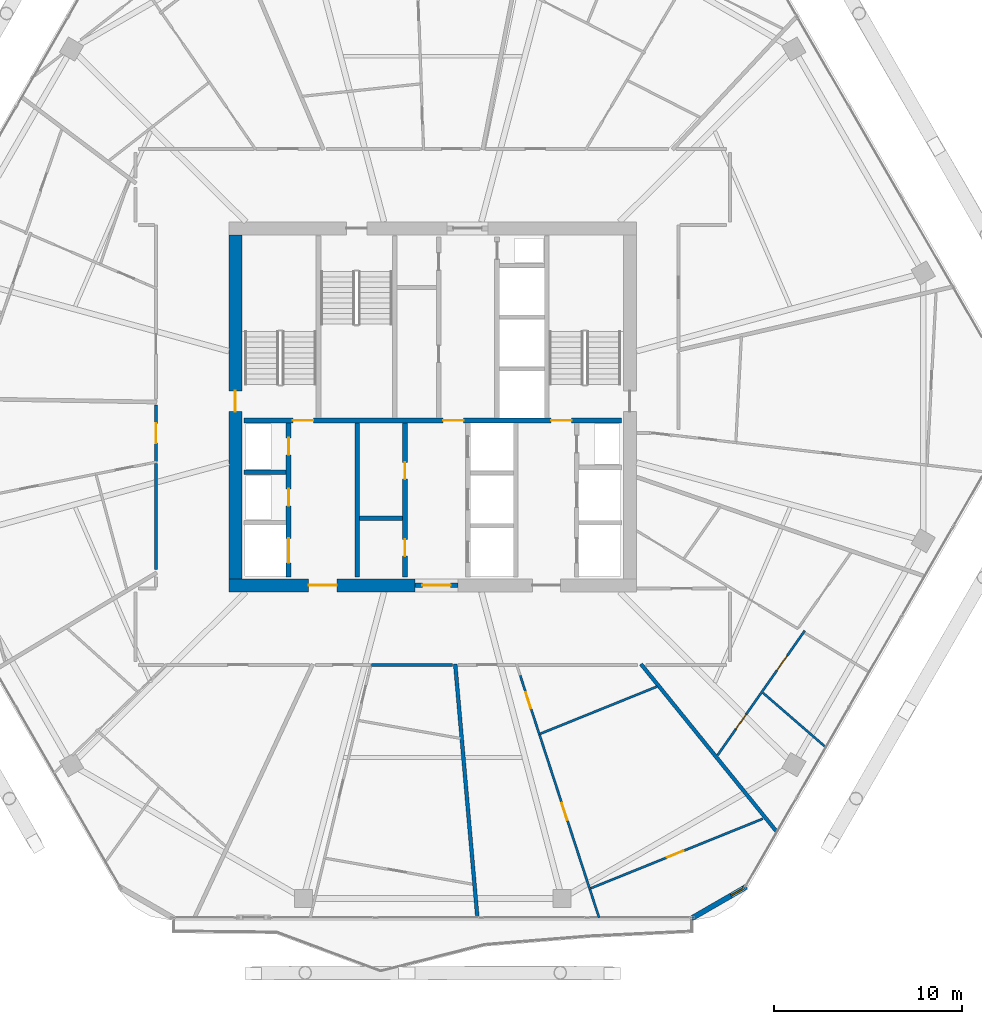
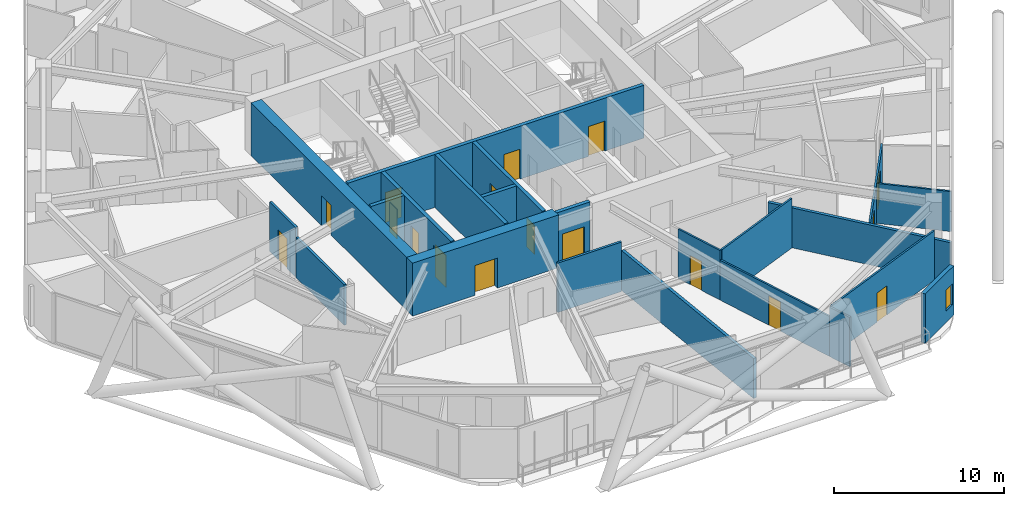
# One storey, part 22 of 28: 22 walls, 17 doors, 1 window, 18 openings.
"""IFC4 building model written with IfcOpenShell, lengths in metres."""

from ifc_helpers import new_model, si_unit, direction, frame, frame_2d, origin, place, context, subcontext, project, spatial, rectangle, extrude, material, layer, layer_set, type_object, element, fill, save


model = new_model("IFC4")

# Units and contexts
model_context = context("Model", 3, precision=1e-05, world=origin(), true_north=direction((0.0, 1.0)))
body_context = subcontext(model_context, "Body", "Model", "MODEL_VIEW")
ifc_project = project(units=[si_unit("LENGTHUNIT", "METRE"), si_unit("AREAUNIT", "SQUARE_METRE"), si_unit("VOLUMEUNIT", "CUBIC_METRE"), si_unit("PLANEANGLEUNIT", "RADIAN"), si_unit("MASSUNIT", "GRAM", prefix="KILO")], contexts=[model_context])

# Site, building, storey
site_placement = place(None, origin())
site = spatial("IfcSite", under=ifc_project, at=site_placement, CompositionType="ELEMENT")
building_placement = place(site_placement, origin())
building = spatial("IfcBuilding", under=site, at=building_placement, Name="Zuhravey Tower", CompositionType="ELEMENT")
storey_placement = place(building_placement, frame((0.0, 0.0, 207.39990234375)))
storey = spatial("IfcBuildingStorey", under=building, at=storey_placement, Name="L52", CompositionType="ELEMENT", Elevation=207.39990234375)

# Wall, opening, door
ifc_material_1 = material(Name="Concrete C60/75", Category="concrete")
ifc_layer_1 = layer(ifc_material_1, 0.699951171875)
ifc_layer_set_1 = layer_set([ifc_layer_1], Name="Concrete C60/75")
wall_type_1 = type_object("IfcWallType", Name="Core Shear Wall 700", PredefinedType="SHEAR", material=ifc_layer_set_1)
wall_1_placement = place(storey_placement, frame((25.14990234375, 22.5, 0.0), z_axis=(0.0, 0.0, 1.0), x_axis=(1.0, 0.0, 0.0)))
wall_1 = element("IfcWall", 1, at=wall_1_placement, inside=storey, type_object=wall_type_1, Name="L52 South-West Core Shear Wall CW70", PredefinedType="SHEAR", context=body_context, shape_type="SweptSolid", body=[
    extrude(rectangle(XDim=9.900146484375, YDim=0.699951171875, at=frame_2d((4.9501953125, 0.0))), origin(), (0.0, 0.0, 1.0), 3.800048828125),
])
opening_1_placement = place(wall_1_placement, frame((4.25, 0.0, 0.0)))
opening_1 = element("IfcOpeningElement", 2, at=opening_1_placement, cuts=wall_1, Name="Opening FFD1", PredefinedType="OPENING", context=body_context, shape_type="SweptSolid", body=[
    extrude(rectangle(XDim=1.5, YDim=2.14990234375, at=frame_2d((0.75, 1.074951171875))), frame((0.0, 0.362060546875, 0.0), z_axis=(0.0, -1.0, 0.0), x_axis=(1.0, 0.0, 0.0)), (0.0, 0.0, 1.0), 0.723876953125),
])
ifc_material_2 = material(Name="Galvanised fire-rated steel leaf", Category="steel")
door_type_1 = type_object("IfcDoorType", Name="Firefighting Lobby Double Door 1500x2150", OperationType="DOUBLE_DOOR_SINGLE_SWING", PredefinedType="DOOR", material=ifc_material_2)
door_1_placement = place(opening_1_placement, origin())
door_1 = element("IfcDoor", 3, at=door_1_placement, inside=storey, type_object=door_type_1, Name="L52 Firefighting Lobby West Door", OperationType="DOUBLE_DOOR_SINGLE_SWING", OverallHeight=2.14990234375, OverallWidth=1.5, PredefinedType="DOOR", context=body_context, shape_type="SweptSolid", body=[
    extrude(rectangle(XDim=1.5, YDim=2.14990234375, at=frame_2d((0.75, 1.074951171875))), frame((0.0, 0.02490234375, 0.0), z_axis=(0.0, -1.0, 0.0), x_axis=(1.0, 0.0, 0.0)), (0.0, 0.0, 1.0), 0.050048828125),
])
fill(opening_1, door_1)

wall_2_placement = place(storey_placement, frame((25.5, 22.85009765625, 0.0), z_axis=(0.0, 0.0, 1.0), x_axis=(0.0, 1.0, 0.0)))
wall_2 = element("IfcWall", 4, at=wall_2_placement, inside=storey, type_object=wall_type_1, Name="L52 West Core Shear Wall CW70", PredefinedType="SHEAR", context=body_context, shape_type="SweptSolid", body=[
    extrude(rectangle(XDim=18.2998046875, YDim=0.699951171875, at=frame_2d((9.14990234375, 0.0))), origin(), (0.0, 0.0, 1.0), 3.800048828125),
])
opening_2_placement = place(wall_2_placement, frame((8.89990234375, 0.0, 0.0)))
opening_2 = element("IfcOpeningElement", 5, at=opening_2_placement, cuts=wall_2, Name="Opening STD1", PredefinedType="OPENING", context=body_context, shape_type="SweptSolid", body=[
    extrude(rectangle(XDim=1.10009765625, YDim=2.14990234375, at=frame_2d((0.550048828125, 1.074951171875))), frame((0.0, 0.362060546875, 0.0), z_axis=(0.0, -1.0, 0.0), x_axis=(1.0, 0.0, 0.0)), (0.0, 0.0, 1.0), 0.723876953125),
])
door_type_2 = type_object("IfcDoorType", Name="Protected Stair Fire Door 1100x2150", OperationType="NOTDEFINED", PredefinedType="USERDEFINED", material=ifc_material_2)
door_2_placement = place(opening_2_placement, frame((1.10009765625, 0.0, 0.0), z_axis=(0.0, 0.0, 1.0), x_axis=(-1.0, 0.0, 0.0)))
door_2 = element("IfcDoor", 6, at=door_2_placement, inside=storey, type_object=door_type_2, Name="L52 Stair ST1 Door", ObjectType="EXITDOOR", OperationType="SINGLE_SWING_LEFT", OverallHeight=2.14990234375, OverallWidth=1.10009765625, PredefinedType="USERDEFINED", context=body_context, shape_type="SweptSolid", body=[
    extrude(rectangle(XDim=1.10009765625, YDim=2.14990234375, at=frame_2d((0.550048828125, 1.074951171875))), frame((0.0, 0.02490234375, 0.0), z_axis=(0.0, -1.0, 0.0), x_axis=(1.0, 0.0, 0.0)), (0.0, 0.0, 1.0), 0.050048828125),
])
fill(opening_2, door_2)

ifc_material_3 = material(Name="Gypsum fire-rated stud partition")
ifc_layer_2 = layer(ifc_material_3, 0.159912109375)
ifc_layer_set_2 = layer_set([ifc_layer_2], Name="Gypsum fire-rated stud partition")
wall_type_2 = type_object("IfcWallType", Name="Corridor Fire Partition 160", PredefinedType="PARTITIONING", material=ifc_layer_set_2)
wall_3_placement = place(storey_placement, frame((21.27001953125, 32.1083984375, 0.0), z_axis=(0.0, 0.0, 1.0), x_axis=(0.0, -1.0, 0.0)))
wall_3 = element("IfcWall", 7, at=wall_3_placement, inside=storey, type_object=wall_type_2, Name="L52 IW16 Partition 046", PredefinedType="PARTITIONING", context=body_context, shape_type="SweptSolid", body=[
    extrude(rectangle(XDim=3.02587890625, YDim=0.159912109375, at=frame_2d((1.512939453125, 0.0))), origin(), (0.0, 0.0, 1.0), 3.550048828125),
])
opening_3_placement = place(wall_3_placement, frame((0.988037109375, 0.0, 0.0)))
opening_3 = element("IfcOpeningElement", 8, at=opening_3_placement, cuts=wall_3, Name="Opening APD1", PredefinedType="OPENING", context=body_context, shape_type="SweptSolid", body=[
    extrude(rectangle(XDim=1.050048828125, YDim=2.14990234375, at=frame_2d((0.52490234375, 1.074951171875))), frame((0.0, 0.092041015625, 0.0), z_axis=(0.0, -1.0, 0.0), x_axis=(1.0, 0.0, 0.0)), (0.0, 0.0, 1.0), 0.183837890625),
])
ifc_material_4 = material(Name="Solid-core oak fire-rated leaf")
door_type_3 = type_object("IfcDoorType", Name="Apartment Entrance Fire Door 1050x2150", OperationType="NOTDEFINED", PredefinedType="DOOR", material=ifc_material_4)
door_3_placement = place(opening_3_placement, frame((1.050048828125, 0.0, 0.0), z_axis=(0.0, 0.0, 1.0), x_axis=(-1.0, 0.0, 0.0)))
door_3 = element("IfcDoor", 9, at=door_3_placement, inside=storey, type_object=door_type_3, Name="L52 Door 046.1", OperationType="SINGLE_SWING_RIGHT", OverallHeight=2.14990234375, OverallWidth=1.050048828125, PredefinedType="DOOR", context=body_context, shape_type="SweptSolid", body=[
    extrude(rectangle(XDim=1.050048828125, YDim=2.14990234375, at=frame_2d((0.52490234375, 1.074951171875))), frame((0.0, 0.02490234375, 0.0), z_axis=(0.0, -1.0, 0.0), x_axis=(1.0, 0.0, 0.0)), (0.0, 0.0, 1.0), 0.050048828125),
])
fill(opening_3, door_3)

# Walls
wall_4_placement = place(storey_placement, frame((21.27001953125, 28.99267578125, 0.0), z_axis=(0.0, 0.0, 1.0), x_axis=(0.0, -1.0, 0.0)))
element("IfcWall", 10, at=wall_4_placement, inside=storey, type_object=wall_type_2, Name="L52 IW16 Partition 129", PredefinedType="PARTITIONING", context=body_context, shape_type="SweptSolid", body=[
    extrude(rectangle(XDim=5.64599609375, YDim=0.159912109375, at=frame_2d((2.822998046875, 0.0))), origin(), (0.0, 0.0, 1.0), 2.900146484375),
])
wall_5_placement = place(storey_placement, frame((32.7294921875, 18.27001953125, 0.0), z_axis=(0.0, 0.0, 1.0), x_axis=(1.0, 0.0, 0.0)))
element("IfcWall", 11, at=wall_5_placement, inside=storey, type_object=wall_type_2, Name="L52 IW16 Partition 134", PredefinedType="PARTITIONING", context=body_context, shape_type="SweptSolid", body=[
    extrude(rectangle(XDim=4.3310546875, YDim=0.159912109375, at=frame_2d((2.16552734375, 0.0))), origin(), (0.0, 0.0, 1.0), 3.550048828125),
])

# Wall, opening, window
ifc_material_5 = material(Name="Precast concrete C40/50", Category="concrete")
ifc_layer_3 = layer(ifc_material_5, 0.280029296875)
ifc_layer_set_3 = layer_set([ifc_layer_3], Name="Precast concrete C40/50")
wall_type_3 = type_object("IfcWallType", Name="Crown Architectural Wall 280", PredefinedType="SOLIDWALL", material=ifc_layer_set_3)
wall_6_placement = place(storey_placement, frame((52.693115234375, 6.451904296875, 0.0), z_axis=(0.0, 0.0, 1.0), x_axis=(-0.866020068361, -0.500009241111, 0.0)))
wall_6 = element("IfcWall", 12, at=wall_6_placement, inside=storey, type_object=wall_type_3, Name="L52 Rounded Corner Closure Wall EW28-02", PredefinedType="SOLIDWALL", context=body_context, shape_type="SweptSolid", body=[
    extrude(rectangle(XDim=3.365234375, YDim=0.280029296875, at=frame_2d((1.6826171875, 0.0))), origin(), (0.0, 0.0, 1.0), 3.550048828125),
])
opening_4_placement = place(wall_6_placement, frame((0.17919921875, 0.0, 0.85009765625)))
opening_4 = element("IfcOpeningElement", 13, at=opening_4_placement, cuts=wall_6, Name="Opening WN5", PredefinedType="OPENING", context=body_context, shape_type="SweptSolid", body=[
    extrude(rectangle(XDim=0.75, YDim=1.5, at=frame_2d((0.375, 0.75))), frame((0.0, 0.152099609375, 0.0), z_axis=(0.0, -1.0, 0.0), x_axis=(1.0, 0.0, 0.0)), (0.0, 0.0, 1.0), 0.303955078125),
])
ifc_material_6 = material(Name="Thermally broken aluminium and triple low-E glass", Category="aluminium")
window_type = type_object("IfcWindowType", Name="Residential Corner Casement Window 750x1500", PartitioningType="SINGLE_PANEL", PredefinedType="WINDOW", material=ifc_material_6)
window_placement = place(opening_4_placement, origin())
window = element("IfcWindow", 14, at=window_placement, inside=storey, type_object=window_type, Name="L52 Corner Casement Window WN5-02.1", OverallHeight=1.5, OverallWidth=0.75, PartitioningType="SINGLE_PANEL", PredefinedType="WINDOW", context=body_context, shape_type="SweptSolid", body=[
    extrude(rectangle(XDim=0.75, YDim=1.5, at=frame_2d((0.375, 0.75))), frame((0.0, 0.030029296875, 0.0), z_axis=(0.0, -1.0, 0.0), x_axis=(1.0, 0.0, 0.0)), (0.0, 0.0, 1.0), 0.06005859375),
])
fill(opening_4, window)

# Wall, opening, door
ifc_material_7 = material(Name="Concrete C50/60", Category="concrete")
ifc_layer_4 = layer(ifc_material_7, 0.25)
ifc_layer_set_4 = layer_set([ifc_layer_4], Name="Concrete C50/60")
wall_type_4 = type_object("IfcWallType", Name="Firefighting Shaft & Stair Wall 250", PredefinedType="SOLIDWALL", material=ifc_layer_set_4)
wall_7_placement = place(storey_placement, frame((35.06005859375, 22.5, 0.0), z_axis=(0.0, 0.0, 1.0), x_axis=(1.0, 0.0, 0.0)))
wall_7 = element("IfcWall", 15, at=wall_7_placement, inside=storey, type_object=wall_type_4, Name="L52 FW25 Shaft Wall 001", PredefinedType="SOLIDWALL", context=body_context, shape_type="SweptSolid", body=[
    extrude(rectangle(XDim=2.280029296875, YDim=0.25, at=frame_2d((1.14013671875, 0.0))), origin(), (0.0, 0.0, 1.0), 3.800048828125),
])
opening_5_placement = place(wall_7_placement, frame((0.389892578125, 0.0, 0.0)))
opening_5 = element("IfcOpeningElement", 16, at=opening_5_placement, cuts=wall_7, Name="Opening FFD1", PredefinedType="OPENING", context=body_context, shape_type="SweptSolid", body=[
    extrude(rectangle(XDim=1.5, YDim=2.14990234375, at=frame_2d((0.75, 1.074951171875))), frame((0.0, 0.136962890625, 0.0), z_axis=(0.0, -1.0, 0.0), x_axis=(1.0, 0.0, 0.0)), (0.0, 0.0, 1.0), 0.27392578125),
])
door_4_placement = place(opening_5_placement, frame((1.5, 0.0, 0.0), z_axis=(0.0, 0.0, 1.0), x_axis=(-1.0, 0.0, 0.0)))
door_4 = element("IfcDoor", 17, at=door_4_placement, inside=storey, type_object=door_type_1, Name="L52 South Lift Lobby Exit Door", OperationType="DOUBLE_DOOR_SINGLE_SWING", OverallHeight=2.14990234375, OverallWidth=1.5, PredefinedType="DOOR", context=body_context, shape_type="SweptSolid", body=[
    extrude(rectangle(XDim=1.5, YDim=2.14990234375, at=frame_2d((0.75, 1.074951171875))), frame((0.0, 0.02490234375, 0.0), z_axis=(0.0, -1.0, 0.0), x_axis=(1.0, 0.0, 0.0)), (0.0, 0.0, 1.0), 0.050048828125),
])
fill(opening_5, door_4)

# Wall, openings, doors
wall_8_placement = place(storey_placement, frame((25.949951171875, 31.27490234375, 0.0), z_axis=(0.0, 0.0, 1.0), x_axis=(1.0, 0.0, 0.0)))
wall_8 = element("IfcWall", 18, at=wall_8_placement, inside=storey, type_object=wall_type_4, Name="L52 FW25 Shaft Wall 003", PredefinedType="SOLIDWALL", context=body_context, shape_type="SweptSolid", body=[
    extrude(rectangle(XDim=20.10009765625, YDim=0.25, at=frame_2d((10.050048828125, 0.0))), origin(), (0.0, 0.0, 1.0), 3.800048828125),
])
opening_6_placement = place(wall_8_placement, frame((2.60009765625, 0.0, 0.0)))
opening_6 = element("IfcOpeningElement", 19, at=opening_6_placement, cuts=wall_8, Name="Opening STD1", PredefinedType="OPENING", context=body_context, shape_type="SweptSolid", body=[
    extrude(rectangle(XDim=1.10009765625, YDim=2.14990234375, at=frame_2d((0.550048828125, 1.074951171875))), frame((0.0, 0.136962890625, 0.0), z_axis=(0.0, -1.0, 0.0), x_axis=(1.0, 0.0, 0.0)), (0.0, 0.0, 1.0), 0.27392578125),
])
opening_7_placement = place(wall_8_placement, frame((10.60009765625, 0.0, 0.0)))
opening_7 = element("IfcOpeningElement", 20, at=opening_7_placement, cuts=wall_8, Name="Opening STD1", PredefinedType="OPENING", context=body_context, shape_type="SweptSolid", body=[
    extrude(rectangle(XDim=1.10009765625, YDim=2.14990234375, at=frame_2d((0.550048828125, 1.074951171875))), frame((0.0, 0.136962890625, 0.0), z_axis=(0.0, -1.0, 0.0), x_axis=(1.0, 0.0, 0.0)), (0.0, 0.0, 1.0), 0.27392578125),
])
opening_8_placement = place(wall_8_placement, frame((16.35009765625, 0.0, 0.0)))
opening_8 = element("IfcOpeningElement", 21, at=opening_8_placement, cuts=wall_8, Name="Opening STD1", PredefinedType="OPENING", context=body_context, shape_type="SweptSolid", body=[
    extrude(rectangle(XDim=1.10009765625, YDim=2.14990234375, at=frame_2d((0.550048828125, 1.074951171875))), frame((0.0, 0.136962890625, 0.0), z_axis=(0.0, -1.0, 0.0), x_axis=(1.0, 0.0, 0.0)), (0.0, 0.0, 1.0), 0.27392578125),
])
door_5_placement = place(opening_6_placement, origin())
door_5 = element("IfcDoor", 22, at=door_5_placement, inside=storey, type_object=door_type_2, Name="L52 FFL-W to ST1 Door", ObjectType="EXITDOOR", OperationType="SINGLE_SWING_RIGHT", OverallHeight=2.14990234375, OverallWidth=1.10009765625, PredefinedType="USERDEFINED", context=body_context, shape_type="SweptSolid", body=[
    extrude(rectangle(XDim=1.10009765625, YDim=2.14990234375, at=frame_2d((0.550048828125, 1.074951171875))), frame((0.0, 0.02490234375, 0.0), z_axis=(0.0, -1.0, 0.0), x_axis=(1.0, 0.0, 0.0)), (0.0, 0.0, 1.0), 0.050048828125),
])
fill(opening_6, door_5)
door_6_placement = place(opening_7_placement, origin())
door_6 = element("IfcDoor", 23, at=door_6_placement, inside=storey, type_object=door_type_2, Name="L52 Core Lobby Link Door", ObjectType="EXITDOOR", OperationType="SINGLE_SWING_LEFT", OverallHeight=2.14990234375, OverallWidth=1.10009765625, PredefinedType="USERDEFINED", context=body_context, shape_type="SweptSolid", body=[
    extrude(rectangle(XDim=1.10009765625, YDim=2.14990234375, at=frame_2d((0.550048828125, 1.074951171875))), frame((0.0, 0.02490234375, 0.0), z_axis=(0.0, -1.0, 0.0), x_axis=(1.0, 0.0, 0.0)), (0.0, 0.0, 1.0), 0.050048828125),
])
fill(opening_7, door_6)
door_7_placement = place(opening_8_placement, origin())
door_7 = element("IfcDoor", 24, at=door_7_placement, inside=storey, type_object=door_type_2, Name="L52 FFL-E to ST2 Door", ObjectType="EXITDOOR", OperationType="SINGLE_SWING_RIGHT", OverallHeight=2.14990234375, OverallWidth=1.10009765625, PredefinedType="USERDEFINED", context=body_context, shape_type="SweptSolid", body=[
    extrude(rectangle(XDim=1.10009765625, YDim=2.14990234375, at=frame_2d((0.550048828125, 1.074951171875))), frame((0.0, 0.02490234375, 0.0), z_axis=(0.0, -1.0, 0.0), x_axis=(1.0, 0.0, 0.0)), (0.0, 0.0, 1.0), 0.050048828125),
])
fill(opening_8, door_7)

# Wall
wall_9_placement = place(storey_placement, frame((25.949951171875, 28.52490234375, 0.0), z_axis=(0.0, 0.0, 1.0), x_axis=(1.0, 0.0, 0.0)))
element("IfcWall", 25, at=wall_9_placement, inside=storey, type_object=wall_type_4, Name="L52 FW25 Shaft Wall 010", PredefinedType="SOLIDWALL", context=body_context, shape_type="SweptSolid", body=[
    extrude(rectangle(XDim=2.25, YDim=0.25, at=frame_2d((1.125, 0.0))), origin(), (0.0, 0.0, 1.0), 3.800048828125),
])

# Wall, openings, doors
wall_10_placement = place(storey_placement, frame((28.324951171875, 22.949951171875, 0.0), z_axis=(0.0, 0.0, 1.0), x_axis=(0.0, 1.0, 0.0)))
wall_10 = element("IfcWall", 26, at=wall_10_placement, inside=storey, type_object=wall_type_4, Name="L52 FW25 Shaft Wall 011", PredefinedType="SOLIDWALL", context=body_context, shape_type="SweptSolid", body=[
    extrude(rectangle(XDim=8.199951171875, YDim=0.25, at=frame_2d((4.10009765625, 0.0))), origin(), (0.0, 0.0, 1.0), 3.800048828125),
])
opening_9_placement = place(wall_10_placement, frame((0.75, 0.0, 0.0)))
opening_9 = element("IfcOpeningElement", 27, at=opening_9_placement, cuts=wall_10, Name="Opening LD2", PredefinedType="OPENING", context=body_context, shape_type="SweptSolid", body=[
    extrude(rectangle(XDim=1.300048828125, YDim=2.300048828125, at=frame_2d((0.64990234375, 1.14990234375))), frame((0.0, 0.136962890625, 0.0), z_axis=(0.0, -1.0, 0.0), x_axis=(1.0, 0.0, 0.0)), (0.0, 0.0, 1.0), 0.27392578125),
])
opening_10_placement = place(wall_10_placement, frame((3.780029296875, 0.0, 0.0)))
opening_10 = element("IfcOpeningElement", 28, at=opening_10_placement, cuts=wall_10, Name="Opening RSD1", PredefinedType="OPENING", context=body_context, shape_type="SweptSolid", body=[
    extrude(rectangle(XDim=0.89990234375, YDim=2.10009765625, at=frame_2d((0.449951171875, 1.050048828125))), frame((0.0, 0.136962890625, 0.0), z_axis=(0.0, -1.0, 0.0), x_axis=(1.0, 0.0, 0.0)), (0.0, 0.0, 1.0), 0.27392578125),
])
opening_11_placement = place(wall_10_placement, frame((6.5, 0.0, 0.0)))
opening_11 = element("IfcOpeningElement", 29, at=opening_11_placement, cuts=wall_10, Name="Opening RSD1", PredefinedType="OPENING", context=body_context, shape_type="SweptSolid", body=[
    extrude(rectangle(XDim=0.89990234375, YDim=2.10009765625, at=frame_2d((0.449951171875, 1.050048828125))), frame((0.0, 0.136962890625, 0.0), z_axis=(0.0, -1.0, 0.0), x_axis=(1.0, 0.0, 0.0)), (0.0, 0.0, 1.0), 0.27392578125),
])
ifc_material_8 = material(Name="Brushed stainless steel", Category="steel")
door_type_4 = type_object("IfcDoorType", Name="Freight & Stretcher Lift Sliding Door 1300x2300", OperationType="DOUBLE_DOOR_SLIDING", PredefinedType="DOOR", material=ifc_material_8)
door_8_placement = place(opening_9_placement, frame((1.300048828125, 0.0, 0.0), z_axis=(0.0, 0.0, 1.0), x_axis=(-1.0, 0.0, 0.0)))
door_8 = element("IfcDoor", 30, at=door_8_placement, inside=storey, type_object=door_type_4, Name="L52 Lift FF1 Landing Door", OperationType="DOUBLE_DOOR_SLIDING", OverallHeight=2.300048828125, OverallWidth=1.300048828125, PredefinedType="DOOR", context=body_context, shape_type="SweptSolid", body=[
    extrude(rectangle(XDim=1.300048828125, YDim=2.300048828125, at=frame_2d((0.64990234375, 1.14990234375))), frame((0.0, 0.02490234375, 0.0), z_axis=(0.0, -1.0, 0.0), x_axis=(1.0, 0.0, 0.0)), (0.0, 0.0, 1.0), 0.050048828125),
])
fill(opening_9, door_8)
ifc_material_9 = material(Name="Galvanised fire-rated steel access leaf", Category="steel")
door_type_5 = type_object("IfcDoorType", Name="Riser & Shaft Access Fire Door 900x2100", OperationType="NOTDEFINED", PredefinedType="DOOR", material=ifc_material_9)
door_9_placement = place(opening_10_placement, frame((0.89990234375, 0.0, 0.0), z_axis=(0.0, 0.0, 1.0), x_axis=(-1.0, 0.0, 0.0)))
door_9 = element("IfcDoor", 31, at=door_9_placement, inside=storey, type_object=door_type_5, Name="L52 Electrical Riser Door", OperationType="SINGLE_SWING_RIGHT", OverallHeight=2.10009765625, OverallWidth=0.89990234375, PredefinedType="DOOR", context=body_context, shape_type="SweptSolid", body=[
    extrude(rectangle(XDim=0.89990234375, YDim=2.10009765625, at=frame_2d((0.449951171875, 1.050048828125))), frame((0.0, 0.02490234375, 0.0), z_axis=(0.0, -1.0, 0.0), x_axis=(1.0, 0.0, 0.0)), (0.0, 0.0, 1.0), 0.050048828125),
])
fill(opening_10, door_9)
door_10_placement = place(opening_11_placement, frame((0.89990234375, 0.0, 0.0), z_axis=(0.0, 0.0, 1.0), x_axis=(-1.0, 0.0, 0.0)))
door_10 = element("IfcDoor", 32, at=door_10_placement, inside=storey, type_object=door_type_5, Name="L52 Smoke Shaft Access Door", OperationType="SINGLE_SWING_LEFT", OverallHeight=2.10009765625, OverallWidth=0.89990234375, PredefinedType="DOOR", context=body_context, shape_type="SweptSolid", body=[
    extrude(rectangle(XDim=0.89990234375, YDim=2.10009765625, at=frame_2d((0.449951171875, 1.050048828125))), frame((0.0, 0.02490234375, 0.0), z_axis=(0.0, -1.0, 0.0), x_axis=(1.0, 0.0, 0.0)), (0.0, 0.0, 1.0), 0.050048828125),
])
fill(opening_11, door_10)

# Walls
wall_11_placement = place(storey_placement, frame((31.97509765625, 22.949951171875, 0.0), z_axis=(0.0, 0.0, 1.0), x_axis=(0.0, 1.0, 0.0)))
element("IfcWall", 33, at=wall_11_placement, inside=storey, type_object=wall_type_4, Name="L52 FW25 Shaft Wall 012", PredefinedType="SOLIDWALL", context=body_context, shape_type="SweptSolid", body=[
    extrude(rectangle(XDim=8.199951171875, YDim=0.25, at=frame_2d((4.10009765625, 0.0))), origin(), (0.0, 0.0, 1.0), 3.800048828125),
])
wall_12_placement = place(storey_placement, frame((32.10009765625, 26.074951171875, 0.0), z_axis=(0.0, 0.0, 1.0), x_axis=(1.0, 0.0, 0.0)))
element("IfcWall", 34, at=wall_12_placement, inside=storey, type_object=wall_type_4, Name="L52 FW25 Shaft Wall 013", PredefinedType="SOLIDWALL", context=body_context, shape_type="SweptSolid", body=[
    extrude(rectangle(XDim=2.2998046875, YDim=0.25, at=frame_2d((1.14990234375, 0.0))), origin(), (0.0, 0.0, 1.0), 3.800048828125),
])

# Wall, openings, doors
wall_13_placement = place(storey_placement, frame((34.52490234375, 22.949951171875, 0.0), z_axis=(0.0, 0.0, 1.0), x_axis=(0.0, 1.0, 0.0)))
wall_13 = element("IfcWall", 35, at=wall_13_placement, inside=storey, type_object=wall_type_4, Name="L52 FW25 Shaft Wall 014", PredefinedType="SOLIDWALL", context=body_context, shape_type="SweptSolid", body=[
    extrude(rectangle(XDim=8.199951171875, YDim=0.25, at=frame_2d((4.10009765625, 0.0))), origin(), (0.0, 0.0, 1.0), 3.800048828125),
])
opening_12_placement = place(wall_13_placement, frame((1.10009765625, 0.0, 0.0)))
opening_12 = element("IfcOpeningElement", 36, at=opening_12_placement, cuts=wall_13, Name="Opening RSD1", PredefinedType="OPENING", context=body_context, shape_type="SweptSolid", body=[
    extrude(rectangle(XDim=0.89990234375, YDim=2.10009765625, at=frame_2d((0.449951171875, 1.050048828125))), frame((0.0, 0.136962890625, 0.0), z_axis=(0.0, -1.0, 0.0), x_axis=(1.0, 0.0, 0.0)), (0.0, 0.0, 1.0), 0.27392578125),
])
opening_13_placement = place(wall_13_placement, frame((5.199951171875, 0.0, 0.0)))
opening_13 = element("IfcOpeningElement", 37, at=opening_13_placement, cuts=wall_13, Name="Opening RSD1", PredefinedType="OPENING", context=body_context, shape_type="SweptSolid", body=[
    extrude(rectangle(XDim=0.89990234375, YDim=2.10009765625, at=frame_2d((0.449951171875, 1.050048828125))), frame((0.0, 0.136962890625, 0.0), z_axis=(0.0, -1.0, 0.0), x_axis=(1.0, 0.0, 0.0)), (0.0, 0.0, 1.0), 0.27392578125),
])
door_11_placement = place(opening_12_placement, origin())
door_11 = element("IfcDoor", 38, at=door_11_placement, inside=storey, type_object=door_type_5, Name="L52 Metering Room Door", OperationType="SINGLE_SWING_RIGHT", OverallHeight=2.10009765625, OverallWidth=0.89990234375, PredefinedType="DOOR", context=body_context, shape_type="SweptSolid", body=[
    extrude(rectangle(XDim=0.89990234375, YDim=2.10009765625, at=frame_2d((0.449951171875, 1.050048828125))), frame((0.0, 0.02490234375, 0.0), z_axis=(0.0, -1.0, 0.0), x_axis=(1.0, 0.0, 0.0)), (0.0, 0.0, 1.0), 0.050048828125),
])
fill(opening_12, door_11)
door_12_placement = place(opening_13_placement, origin())
door_12 = element("IfcDoor", 39, at=door_12_placement, inside=storey, type_object=door_type_5, Name="L52 Housekeeping Supply Door", OperationType="SINGLE_SWING_LEFT", OverallHeight=2.10009765625, OverallWidth=0.89990234375, PredefinedType="DOOR", context=body_context, shape_type="SweptSolid", body=[
    extrude(rectangle(XDim=0.89990234375, YDim=2.10009765625, at=frame_2d((0.449951171875, 1.050048828125))), frame((0.0, 0.02490234375, 0.0), z_axis=(0.0, -1.0, 0.0), x_axis=(1.0, 0.0, 0.0)), (0.0, 0.0, 1.0), 0.050048828125),
])
fill(opening_13, door_12)

# Walls
ifc_material_10 = material(Name="Gypsum double-stud party assembly")
ifc_layer_5 = layer(ifc_material_10, 0.199951171875)
ifc_layer_set_5 = layer_set([ifc_layer_5], Name="Gypsum double-stud party assembly")
wall_type_5 = type_object("IfcWallType", Name="Inter-Tenancy Party Wall 200", PredefinedType="PARTITIONING", material=ifc_layer_set_5)
wall_14_placement = place(storey_placement, frame((37.19775390625, 18.31005859375, 0.0), z_axis=(0.0, 0.0, 1.0), x_axis=(0.087149956805, -0.996195204279, 0.0)))
element("IfcWall", 40, at=wall_14_placement, inside=storey, type_object=wall_type_5, Name="L52 IW20 Partition 109", PredefinedType="PARTITIONING", context=body_context, shape_type="SweptSolid", body=[
    extrude(rectangle(XDim=13.544677734375, YDim=0.199951171875, at=frame_2d((6.7724609375, 0.0))), origin(), (0.0, 0.0, 1.0), 2.8701171875),
])
wall_15_placement = place(storey_placement, frame((47.0859375, 18.31005859375, 0.0), z_axis=(0.0, 0.0, 1.0), x_axis=(0.629320349521, -0.777145995086, 0.0)))
element("IfcWall", 41, at=wall_15_placement, inside=storey, type_object=wall_type_5, Name="L52 IW20 Partition 113", PredefinedType="PARTITIONING", context=body_context, shape_type="SweptSolid", body=[
    extrude(rectangle(XDim=11.50146484375, YDim=0.199951171875, at=frame_2d((5.750732421875, 0.0))), origin(), (0.0, 0.0, 1.0), 2.8701171875),
])

# Wall, opening, door
ifc_material_11 = material(Name="Gypsum metal-stud partition")
ifc_layer_6 = layer(ifc_material_11, 0.1201171875)
ifc_layer_set_6 = layer_set([ifc_layer_6], Name="Gypsum metal-stud partition")
wall_type_6 = type_object("IfcWallType", Name="Unit Internal Partition 120", PredefinedType="PARTITIONING", material=ifc_layer_set_6)
wall_16_placement = place(storey_placement, frame((40.657470703125, 17.699951171875, 0.0), z_axis=(0.0, 0.0, 1.0), x_axis=(0.309645010921, -0.950852232059, 0.0)))
wall_16 = element("IfcWall", 42, at=wall_16_placement, inside=storey, type_object=wall_type_6, Name="L52 IW12 Partition 056", PredefinedType="PARTITIONING", context=body_context, shape_type="SweptSolid", body=[
    extrude(rectangle(XDim=3.308349609375, YDim=0.1201171875, at=frame_2d((1.654296875, 0.0))), origin(), (0.0, 0.0, 1.0), 3.550048828125),
])
opening_14_placement = place(wall_16_placement, frame((0.939697265625, 0.0, 0.0)))
opening_14 = element("IfcOpeningElement", 43, at=opening_14_placement, cuts=wall_16, Name="Opening WCD1", PredefinedType="OPENING", context=body_context, shape_type="SweptSolid", body=[
    extrude(rectangle(XDim=0.89990234375, YDim=2.10009765625, at=frame_2d((0.449951171875, 1.050048828125))), frame((0.0, 0.072021484375, 0.0), z_axis=(0.0, -1.0, 0.0), x_axis=(1.0, 0.0, 0.0)), (0.0, 0.0, 1.0), 0.14404296875),
])
ifc_material_12 = material(Name="Moisture-resistant timber leaf", Category="wood")
door_type_6 = type_object("IfcDoorType", Name="Bathroom & WC Internal Door 900x2100", OperationType="NOTDEFINED", PredefinedType="DOOR", material=ifc_material_12)
door_13_placement = place(opening_14_placement, origin())
door_13 = element("IfcDoor", 44, at=door_13_placement, inside=storey, type_object=door_type_6, Name="Apartment L52-08 Bathroom Door", OperationType="SINGLE_SWING_RIGHT", OverallHeight=2.10009765625, OverallWidth=0.89990234375, PredefinedType="DOOR", context=body_context, shape_type="SweptSolid", body=[
    extrude(rectangle(XDim=0.89990234375, YDim=2.10009765625, at=frame_2d((0.449951171875, 1.050048828125))), frame((0.0, 0.02490234375, 0.0), z_axis=(0.0, -1.0, 0.0), x_axis=(1.0, 0.0, 0.0)), (0.0, 0.0, 1.0), 0.050048828125),
])
fill(opening_14, door_13)

wall_17_placement = place(storey_placement, frame((41.681884765625, 14.55419921875, 0.0), z_axis=(0.0, 0.0, 1.0), x_axis=(0.309677992157, -0.950841491087, 0.0)))
wall_17 = element("IfcWall", 45, at=wall_17_placement, inside=storey, type_object=wall_type_6, Name="L52 IW12 Partition 057", PredefinedType="PARTITIONING", context=body_context, shape_type="SweptSolid", body=[
    extrude(rectangle(XDim=8.65380859375, YDim=0.1201171875, at=frame_2d((4.326904296875, 0.0))), origin(), (0.0, 0.0, 1.0), 2.8701171875),
])
opening_15_placement = place(wall_17_placement, frame((3.826904296875, 0.0, 0.0)))
opening_15 = element("IfcOpeningElement", 46, at=opening_15_placement, cuts=wall_17, Name="Opening IND1", PredefinedType="OPENING", context=body_context, shape_type="SweptSolid", body=[
    extrude(rectangle(XDim=0.949951171875, YDim=2.10009765625, at=frame_2d((0.47509765625, 1.050048828125))), frame((0.0, 0.072021484375, 0.0), z_axis=(0.0, -1.0, 0.0), x_axis=(1.0, 0.0, 0.0)), (0.0, 0.0, 1.0), 0.14404296875),
])
ifc_material_13 = material(Name="Painted engineered timber leaf", Category="wood")
door_type_7 = type_object("IfcDoorType", Name="Internal Room & Bedroom Door 950x2100", OperationType="NOTDEFINED", PredefinedType="DOOR", material=ifc_material_13)
door_14_placement = place(opening_15_placement, origin())
door_14 = element("IfcDoor", 47, at=door_14_placement, inside=storey, type_object=door_type_7, Name="Apartment L52-08 Home Office Door", OperationType="SINGLE_SWING_LEFT", OverallHeight=2.10009765625, OverallWidth=0.949951171875, PredefinedType="DOOR", context=body_context, shape_type="SweptSolid", body=[
    extrude(rectangle(XDim=0.949951171875, YDim=2.10009765625, at=frame_2d((0.47509765625, 1.050048828125))), frame((0.0, 0.02490234375, 0.0), z_axis=(0.0, -1.0, 0.0), x_axis=(1.0, 0.0, 0.0)), (0.0, 0.0, 1.0), 0.050048828125),
])
fill(opening_15, door_14)

wall_18_placement = place(storey_placement, frame((44.41748046875, 6.375, 0.0), z_axis=(0.0, 0.0, 1.0), x_axis=(0.927190135349, 0.374591047559, 0.0)))
wall_18 = element("IfcWall", 48, at=wall_18_placement, inside=storey, type_object=wall_type_6, Name="L52 IW12 Partition 058", PredefinedType="PARTITIONING", context=body_context, shape_type="SweptSolid", body=[
    extrude(rectangle(XDim=9.870849609375, YDim=0.1201171875, at=frame_2d((4.935546875, 0.0))), origin(), (0.0, 0.0, 1.0), 3.550048828125),
])
opening_16_placement = place(wall_18_placement, frame((4.37646484375, 0.0, 0.0)))
opening_16 = element("IfcOpeningElement", 49, at=opening_16_placement, cuts=wall_18, Name="Opening IND1", PredefinedType="OPENING", context=body_context, shape_type="SweptSolid", body=[
    extrude(rectangle(XDim=0.949951171875, YDim=2.10009765625, at=frame_2d((0.47509765625, 1.050048828125))), frame((0.0, 0.072021484375, 0.0), z_axis=(0.0, -1.0, 0.0), x_axis=(1.0, 0.0, 0.0)), (0.0, 0.0, 1.0), 0.14404296875),
])
door_15_placement = place(opening_16_placement, frame((0.949951171875, 0.0, 0.0), z_axis=(0.0, 0.0, 1.0), x_axis=(-1.0, 0.0, 0.0)))
door_15 = element("IfcDoor", 50, at=door_15_placement, inside=storey, type_object=door_type_7, Name="Apartment L52-08 Bedroom 1 Door", OperationType="SINGLE_SWING_RIGHT", OverallHeight=2.10009765625, OverallWidth=0.949951171875, PredefinedType="DOOR", context=body_context, shape_type="SweptSolid", body=[
    extrude(rectangle(XDim=0.949951171875, YDim=2.10009765625, at=frame_2d((0.47509765625, 1.050048828125))), frame((0.0, 0.02490234375, 0.0), z_axis=(0.0, -1.0, 0.0), x_axis=(1.0, 0.0, 0.0)), (0.0, 0.0, 1.0), 0.050048828125),
])
fill(opening_16, door_15)

# Wall, openings, doors
wall_19_placement = place(storey_placement, frame((51.15966796875, 13.45263671875, 0.0), z_axis=(0.0, 0.0, 1.0), x_axis=(0.573591844673, 0.81914125505, 0.0)))
wall_19 = element("IfcWall", 51, at=wall_19_placement, inside=storey, type_object=wall_type_6, Name="L52 IW12 Partition 060", PredefinedType="PARTITIONING", context=body_context, shape_type="SweptSolid", body=[
    extrude(rectangle(XDim=8.09716796875, YDim=0.1201171875, at=frame_2d((4.048583984375, 0.0))), origin(), (0.0, 0.0, 1.0), 2.900146484375),
])
opening_17_placement = place(wall_19_placement, frame((1.70458984375, 0.0, 0.0)))
opening_17 = element("IfcOpeningElement", 52, at=opening_17_placement, cuts=wall_19, Name="Opening IND1", PredefinedType="OPENING", context=body_context, shape_type="SweptSolid", body=[
    extrude(rectangle(XDim=0.949951171875, YDim=2.10009765625, at=frame_2d((0.47509765625, 1.050048828125))), frame((0.0, 0.072021484375, 0.0), z_axis=(0.0, -1.0, 0.0), x_axis=(1.0, 0.0, 0.0)), (0.0, 0.0, 1.0), 0.14404296875),
])
opening_18_placement = place(wall_19_placement, frame((5.5126953125, 0.0, 0.0)))
opening_18 = element("IfcOpeningElement", 53, at=opening_18_placement, cuts=wall_19, Name="Opening IND1", PredefinedType="OPENING", context=body_context, shape_type="SweptSolid", body=[
    extrude(rectangle(XDim=0.949951171875, YDim=2.10009765625, at=frame_2d((0.47509765625, 1.050048828125))), frame((0.0, 0.072021484375, 0.0), z_axis=(0.0, -1.0, 0.0), x_axis=(1.0, 0.0, 0.0)), (0.0, 0.0, 1.0), 0.14404296875),
])
door_16_placement = place(opening_17_placement, frame((0.949951171875, 0.0, 0.0), z_axis=(0.0, 0.0, 1.0), x_axis=(-1.0, 0.0, 0.0)))
door_16 = element("IfcDoor", 54, at=door_16_placement, inside=storey, type_object=door_type_7, Name="Apartment L52-09 Family Study Door", OperationType="SINGLE_SWING_RIGHT", OverallHeight=2.10009765625, OverallWidth=0.949951171875, PredefinedType="DOOR", context=body_context, shape_type="SweptSolid", body=[
    extrude(rectangle(XDim=0.949951171875, YDim=2.10009765625, at=frame_2d((0.47509765625, 1.050048828125))), frame((0.0, 0.02490234375, 0.0), z_axis=(0.0, -1.0, 0.0), x_axis=(1.0, 0.0, 0.0)), (0.0, 0.0, 1.0), 0.050048828125),
])
fill(opening_17, door_16)
door_17_placement = place(opening_18_placement, frame((0.949951171875, 0.0, 0.0), z_axis=(0.0, 0.0, 1.0), x_axis=(-1.0, 0.0, 0.0)))
door_17 = element("IfcDoor", 55, at=door_17_placement, inside=storey, type_object=door_type_7, Name="Apartment L52-09 Dining Room Door", OperationType="SINGLE_SWING_LEFT", OverallHeight=2.10009765625, OverallWidth=0.949951171875, PredefinedType="DOOR", context=body_context, shape_type="SweptSolid", body=[
    extrude(rectangle(XDim=0.949951171875, YDim=2.10009765625, at=frame_2d((0.47509765625, 1.050048828125))), frame((0.0, 0.02490234375, 0.0), z_axis=(0.0, -1.0, 0.0), x_axis=(1.0, 0.0, 0.0)), (0.0, 0.0, 1.0), 0.050048828125),
])
fill(opening_18, door_17)

# Walls
wall_20_placement = place(storey_placement, frame((44.36181640625, 6.32568359375, 0.0), z_axis=(0.0, 0.0, 1.0), x_axis=(0.30977951733, -0.950808419527, 0.0)))
element("IfcWall", 56, at=wall_20_placement, inside=storey, type_object=wall_type_6, Name="L52 IW12 Partition 111", PredefinedType="PARTITIONING", context=body_context, shape_type="SweptSolid", body=[
    extrude(rectangle(XDim=1.592041015625, YDim=0.1201171875, at=frame_2d((0.7958984375, 0.0))), origin(), (0.0, 0.0, 1.0), 3.550048828125),
])
wall_21_placement = place(storey_placement, frame((41.737548828125, 14.603515625, 0.0), z_axis=(0.0, 0.0, 1.0), x_axis=(0.927179926312, 0.374616316042, 0.0)))
element("IfcWall", 57, at=wall_21_placement, inside=storey, type_object=wall_type_6, Name="L52 IW12 Partition 112", PredefinedType="PARTITIONING", context=body_context, shape_type="SweptSolid", body=[
    extrude(rectangle(XDim=6.7158203125, YDim=0.1201171875, at=frame_2d((3.35791015625, 0.0))), origin(), (0.0, 0.0, 1.0), 3.550048828125),
])
wall_22_placement = place(storey_placement, frame((53.57421875, 16.7822265625, 0.0), z_axis=(0.0, 0.0, 1.0), x_axis=(0.755950625929, -0.654628636066, 0.0)))
element("IfcWall", 58, at=wall_22_placement, inside=storey, type_object=wall_type_6, Name="L52 IW12 Partition 114", PredefinedType="PARTITIONING", context=body_context, shape_type="SweptSolid", body=[
    extrude(rectangle(XDim=4.46484375, YDim=0.1201171875, at=frame_2d((2.232421875, 0.0))), origin(), (0.0, 0.0, 1.0), 2.8701171875),
])

save(model, "model.ifc")
